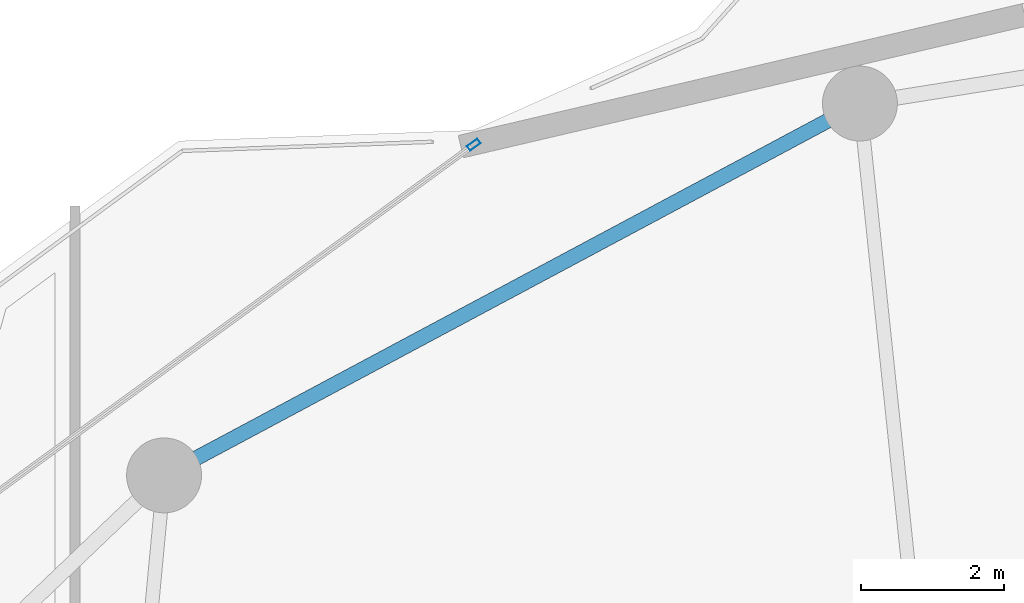
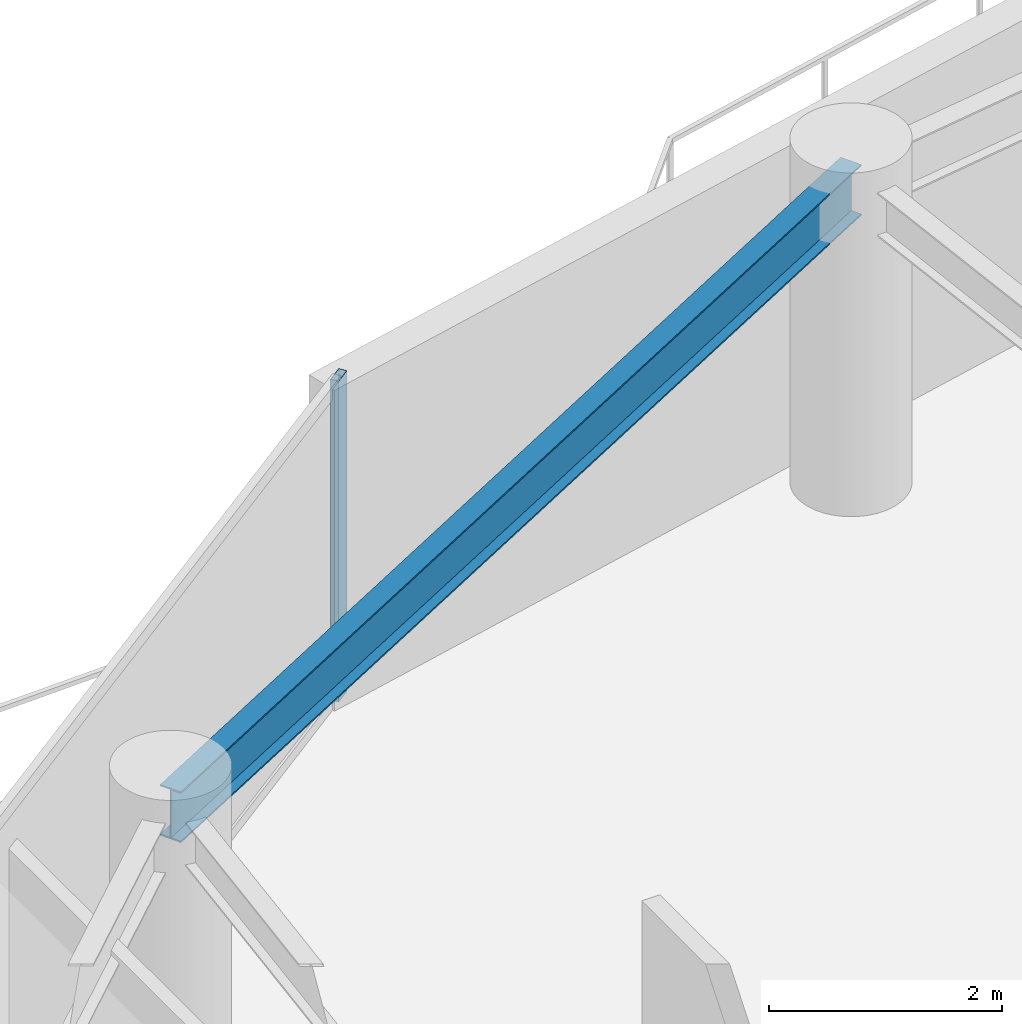
# One storey, part 18 of 31: 1 beam, 1 member, 1 element without a shape of its own.
"""IFC4 building model written with IfcOpenShell, lengths in metres."""

from ifc_helpers import new_model, si_unit, direction, frame, origin, origin_2d, place, context, subcontext, project, spatial, hollow_rectangle, i_section, extrude, material, layer, layer_set, material_profile, profile_set, type_object, element, aggregate, save


model = new_model("IFC4")

# Units and contexts
model_context = context("Model", 3, precision=1e-05, world=origin(), true_north=direction((0.0, 1.0)))
body_context = subcontext(model_context, "Body", "Model", "MODEL_VIEW")
ifc_project = project(units=[si_unit("LENGTHUNIT", "METRE"), si_unit("AREAUNIT", "SQUARE_METRE"), si_unit("VOLUMEUNIT", "CUBIC_METRE"), si_unit("PLANEANGLEUNIT", "RADIAN"), si_unit("MASSUNIT", "GRAM", prefix="KILO")], contexts=[model_context])

# Site, building, storey
site_placement = place(None, origin())
site = spatial("IfcSite", under=ifc_project, at=site_placement, CompositionType="ELEMENT")
building_placement = place(site_placement, origin())
building = spatial("IfcBuilding", under=site, at=building_placement, Name="Kazevale Care Tower and Concert Hall", CompositionType="ELEMENT")
storey_placement = place(building_placement, frame((0.0, 0.0, 210.0)))
storey = spatial("IfcBuildingStorey", under=building, at=storey_placement, Name="L55", CompositionType="ELEMENT", Elevation=210.0)

# Curtain wall, member
ifc_material_1 = material(Name="Aluminium 6063-T6 and Low-E Glass", Category="aluminium")
ifc_layer = layer(ifc_material_1, 0.179931640625)
ifc_layer_set = layer_set([ifc_layer], Name="Aluminium 6063-T6 and Low-E Glass")
curtain_wall_type = type_object("IfcCurtainWallType", Name="Waist & Upper Residential Curtain Wall CW-4", PredefinedType="NOTDEFINED", material=ifc_layer_set)
curtain_wall_placement = place(storey_placement, origin())
curtain_wall = element("IfcCurtainWall", 1, at=curtain_wall_placement, inside=storey, type_object=curtain_wall_type, Name="cw:L55:f14", PredefinedType="NOTDEFINED")
ifc_material_2 = material(Name="Aluminium 6063-T6", Category="aluminium")
ifc_material_profile_1 = material_profile(ifc_material_2, hollow_rectangle(XDim=0.080078125, YDim=0.179931640625, WallThickness=0.0048828125, at=origin_2d()), Name="ALU80x180x5")
ifc_profile_set_1 = profile_set([ifc_material_profile_1], Name="Aluminium 6063-T6")
member_type = type_object("IfcMemberType", Name="CW-4 Mullion ALU80x180x5", PredefinedType="MULLION", material=ifc_profile_set_1)
member_placement = place(storey_placement, frame((28.090576171875, 59.6435546875, 0.0), z_axis=(0.0, 0.0, 1.0), x_axis=(-0.588910374145, 0.808198348937, 0.0)))
member = element("IfcMember", 2, at=member_placement, type_object=member_type, Name="CW-4 mullion 2", PredefinedType="MULLION", context=body_context, shape_type="SweptSolid", body=[
    extrude(hollow_rectangle(XDim=0.080078125, YDim=0.179931640625, WallThickness=0.0048828125, at=origin_2d()), origin(), (0.0, 0.0, 1.0), 3.360107421875),
])
aggregate(curtain_wall, [member])

# Beam
ifc_material_3 = material(Name="Steel ASTM A572 Gr 50", Category="steel")
ifc_material_profile_2 = material_profile(ifc_material_3, i_section(OverallWidth=0.208984375, OverallDepth=0.532958984375, WebThickness=0.01025390625, FlangeThickness=0.015625, at=origin_2d()), Name="W530x92")
ifc_profile_set_2 = profile_set([ifc_material_profile_2], Name="Steel ASTM A572 Gr 50")
beam_type = type_object("IfcBeamType", Name="Upper Ring Beam W530x92", PredefinedType="BEAM", material=ifc_profile_set_2)
beam_placement = place(storey_placement, frame((33.5, 60.219970703125, 3.093505859375), z_axis=(-0.881978519833, -0.471289603697, 0.0), x_axis=(0.471289603697, -0.881978519833, 0.0)))
element("IfcBeam", 3, at=beam_placement, inside=storey, type_object=beam_type, Name="beam:L55:ring:06", PredefinedType="BEAM", context=body_context, shape_type="SweptSolid", body=[
    extrude(i_section(OverallWidth=0.208984375, OverallDepth=0.532958984375, WebThickness=0.01025390625, FlangeThickness=0.015625, at=origin_2d()), origin(), (0.0, 0.0, 1.0), 11.0546875),
])

save(model, "model.ifc")
